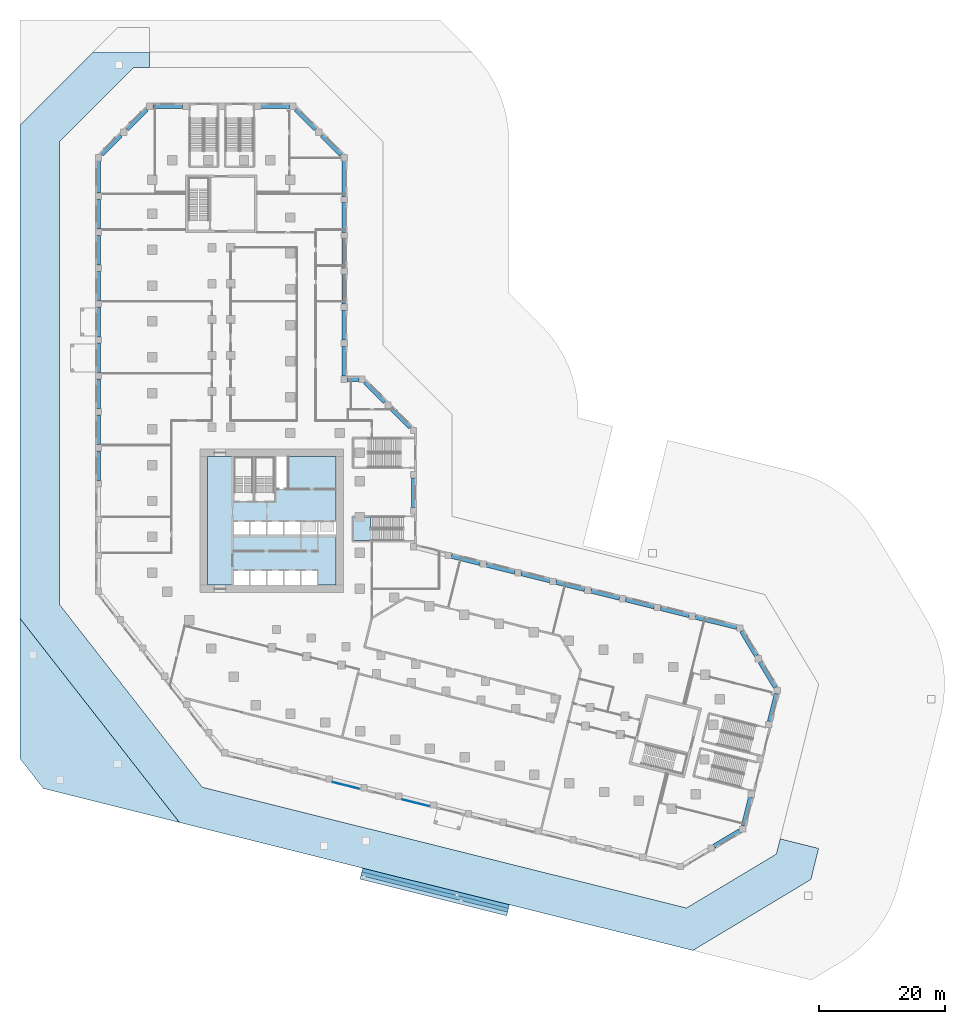
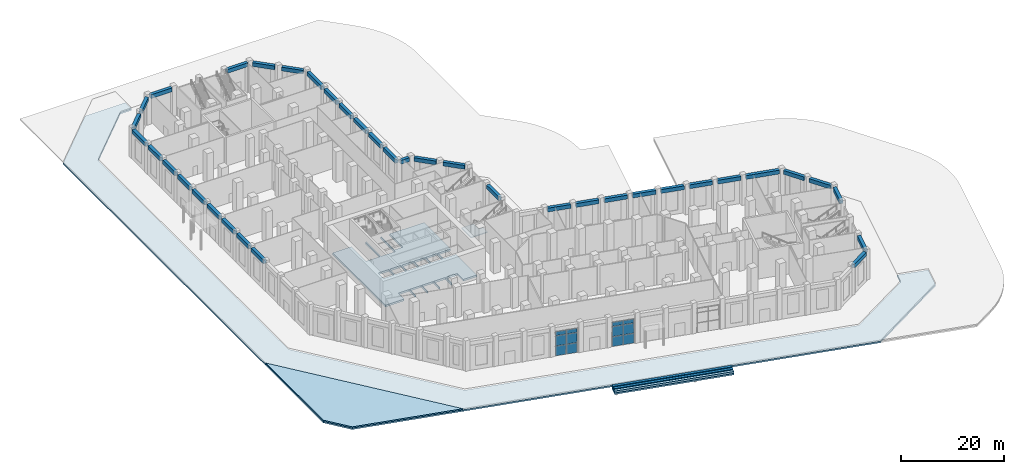
# One storey, part 8 of 27: 38 beams, 12 plates, 9 slabs, 3 elements without a shape of their own.
"""IFC4 building model written with IfcOpenShell, lengths in metres."""

from ifc_helpers import new_model, si_unit, direction, frame, origin, origin_2d, place, context, subcontext, project, spatial, polyline, rectangle, outline, extrude, material, layer, layer_set, material_profile, profile_set, type_object, element, aggregate, save


model = new_model("IFC4")

# Units and contexts
model_context = context("Model", 3, precision=1e-05, world=origin(), true_north=direction((0.0, 1.0)))
body_context = subcontext(model_context, "Body", "Model", "MODEL_VIEW")
ifc_project = project(units=[si_unit("LENGTHUNIT", "METRE"), si_unit("AREAUNIT", "SQUARE_METRE"), si_unit("VOLUMEUNIT", "CUBIC_METRE"), si_unit("PLANEANGLEUNIT", "RADIAN"), si_unit("MASSUNIT", "GRAM", prefix="KILO")], contexts=[model_context])

# Site, building, storey
site_placement = place(None, origin())
site = spatial("IfcSite", under=ifc_project, at=site_placement, CompositionType="ELEMENT")
building_placement = place(site_placement, origin())
building = spatial("IfcBuilding", under=site, at=building_placement, Name="Meshkara Civic Tower", CompositionType="ELEMENT")
storey_placement = place(building_placement, origin())
storey = spatial("IfcBuildingStorey", under=building, at=storey_placement, Name="L00", CompositionType="ELEMENT", Elevation=0.0)

# Beams
ifc_material_1 = material(Name="Concrete C60", Category="concrete")
ifc_material_profile = material_profile(ifc_material_1, rectangle(XDim=0.699951171875, YDim=0.89990234375, at=origin_2d()))
ifc_profile_set = profile_set([ifc_material_profile], Name="Concrete C60")
beam_type = type_object("IfcBeamType", Name="Spandrel beam RC 700x900 C60", PredefinedType="BEAM", material=ifc_profile_set)
beam_1_placement = place(storey_placement, frame((30.403564453125, 83.652587890625, 6.300048828125), z_axis=(-0.707135193312, 0.707078367919, 0.0), x_axis=(-0.707078367919, -0.707135193312, 0.0)))
element("IfcBeam", 1, at=beam_1_placement, inside=storey, type_object=beam_type, Name="Spandrel beam PD12-E-PD13-01", PredefinedType="BEAM", context=body_context, shape_type="SweptSolid", body=[
    extrude(rectangle(XDim=0.699951171875, YDim=0.89990234375, at=origin_2d()), origin(), (0.0, 0.0, 1.0), 4.29638671875),
])
beam_2_placement = place(storey_placement, frame((26.37255859375, 87.68359375, 6.300048828125), z_axis=(-0.707134269933, 0.707079291371, 0.0), x_axis=(-0.707079291371, -0.707134269933, 0.0)))
element("IfcBeam", 2, at=beam_2_placement, inside=storey, type_object=beam_type, Name="Spandrel beam PD00-E-PD13-01", PredefinedType="BEAM", context=body_context, shape_type="SweptSolid", body=[
    extrude(rectangle(XDim=0.699951171875, YDim=0.89990234375, at=origin_2d()), origin(), (0.0, 0.0, 1.0), 4.440673828125),
])
beam_3_placement = place(storey_placement, frame((22.240966796875, 91.320068359375, 6.300048828125), z_axis=(-1.0, 0.0, 0.0), x_axis=(0.0, -1.0, 0.0)))
element("IfcBeam", 3, at=beam_3_placement, inside=storey, type_object=beam_type, Name="Spandrel beam PD00-03-PD00-E", PredefinedType="BEAM", context=body_context, shape_type="SweptSolid", body=[
    extrude(rectangle(XDim=0.699951171875, YDim=0.89990234375, at=origin_2d()), origin(), (0.0, 0.0, 1.0), 4.58203125),
])
beam_4_placement = place(storey_placement, frame((5.26904296875, 91.320068359375, 6.300048828125), z_axis=(-1.0, 0.0, 0.0), x_axis=(0.0, -1.0, 0.0)))
element("IfcBeam", 4, at=beam_4_placement, inside=storey, type_object=beam_type, Name="Spandrel beam PD00-00-PD00-01", PredefinedType="BEAM", context=body_context, shape_type="SweptSolid", body=[
    extrude(rectangle(XDim=0.699951171875, YDim=0.89990234375, at=origin_2d()), origin(), (0.0, 0.0, 1.0), 4.7099609375),
])
beam_5_placement = place(storey_placement, frame((-0.4326171875, 90.823486328125, 6.300048828125), z_axis=(-0.707106781187, -0.707106781187, 0.0), x_axis=(0.707106781187, -0.707106781187, 0.0)))
element("IfcBeam", 5, at=beam_5_placement, inside=storey, type_object=beam_type, Name="Spandrel beam PD00-00-PD01-01", PredefinedType="BEAM", context=body_context, shape_type="SweptSolid", body=[
    extrude(rectangle(XDim=0.699951171875, YDim=0.89990234375, at=origin_2d()), origin(), (0.0, 0.0, 1.0), 4.4404296875),
])
beam_6_placement = place(storey_placement, frame((-4.5654296875, 86.6904296875, 6.300048828125), z_axis=(-0.707135193312, -0.707078367919, 0.0), x_axis=(0.707078367919, -0.707135193312, 0.0)))
element("IfcBeam", 6, at=beam_6_placement, inside=storey, type_object=beam_type, Name="Spandrel beam PD01-00-PD01-01", PredefinedType="BEAM", context=body_context, shape_type="SweptSolid", body=[
    extrude(rectangle(XDim=0.699951171875, YDim=0.89990234375, at=origin_2d()), origin(), (0.0, 0.0, 1.0), 4.29638671875),
])
beam_7_placement = place(storey_placement, frame((-8.10009765625, 82.660888671875, 6.300048828125), z_axis=(0.0, -1.0, 0.0), x_axis=(1.0, 0.0, 0.0)))
element("IfcBeam", 7, at=beam_7_placement, inside=storey, type_object=beam_type, Name="Spandrel beam PD01-00-PD02-11", PredefinedType="BEAM", context=body_context, shape_type="SweptSolid", body=[
    extrude(rectangle(XDim=0.699951171875, YDim=0.89990234375, at=origin_2d()), origin(), (0.0, 0.0, 1.0), 5.15478515625),
])
beam_8_placement = place(storey_placement, frame((-8.10009765625, 76.51611328125, 6.300048828125), z_axis=(0.0, -1.0, 0.0), x_axis=(1.0, 0.0, 0.0)))
element("IfcBeam", 8, at=beam_8_placement, inside=storey, type_object=beam_type, Name="Spandrel beam PD02-10-PD02-11", PredefinedType="BEAM", context=body_context, shape_type="SweptSolid", body=[
    extrude(rectangle(XDim=0.699951171875, YDim=0.89990234375, at=origin_2d()), origin(), (0.0, 0.0, 1.0), 4.710205078125),
])
for number, where, z_axis, x_axis, name in (
    (9, (-8.10009765625, 70.81591796875, 6.300048828125), (0.0, -1.0, 0.0), (1.0, 0.0, 0.0), "Spandrel beam PD02-09-PD02-10"),
    (10, (-8.10009765625, 65.115966796875, 6.300048828125), (0.0, -1.0, 0.0), (1.0, 0.0, 0.0), "Spandrel beam PD02-08-PD02-09"),
    (11, (-8.10009765625, 59.416015625, 6.300048828125), (0.0, -1.0, 0.0), (1.0, 0.0, 0.0), "Spandrel beam PD02-07-PD02-08"),
    (12, (-8.10009765625, 53.716064453125, 6.300048828125), (0.0, -1.0, 0.0), (1.0, 0.0, 0.0), "Spandrel beam PD02-06-PD02-07"),
):
    element("IfcBeam", number, at=place(storey_placement, frame(where, z_axis=z_axis, x_axis=x_axis)), inside=storey, type_object=beam_type, Name=name, PredefinedType="BEAM", context=body_context, shape_type="SweptSolid", body=[
        extrude(rectangle(XDim=0.699951171875, YDim=0.89990234375, at=origin_2d()), origin(), (0.0, 0.0, 1.0), 4.7099609375),
    ])
beam_9_placement = place(storey_placement, frame((-8.10009765625, 48.01611328125, 6.300048828125), z_axis=(0.0, -1.0, 0.0), x_axis=(1.0, 0.0, 0.0)))
element("IfcBeam", 13, at=beam_9_placement, inside=storey, type_object=beam_type, Name="Spandrel beam PD02-05-PD02-06", PredefinedType="BEAM", context=body_context, shape_type="SweptSolid", body=[
    extrude(rectangle(XDim=0.699951171875, YDim=0.89990234375, at=origin_2d()), origin(), (0.0, 0.0, 1.0), 4.710205078125),
])
for number, where, z_axis, x_axis, name in (
    (14, (-8.10009765625, 42.31591796875, 6.300048828125), (0.0, -1.0, 0.0), (1.0, 0.0, 0.0), "Spandrel beam PD02-04-PD02-05"),
    (15, (-8.10009765625, 36.615966796875, 6.300048828125), (0.0, -1.0, 0.0), (1.0, 0.0, 0.0), "Spandrel beam PD02-03-PD02-04"),
):
    element("IfcBeam", number, at=place(storey_placement, frame(where, z_axis=z_axis, x_axis=x_axis)), inside=storey, type_object=beam_type, Name=name, PredefinedType="BEAM", context=body_context, shape_type="SweptSolid", body=[
        extrude(rectangle(XDim=0.699951171875, YDim=0.89990234375, at=origin_2d()), origin(), (0.0, 0.0, 1.0), 4.7099609375),
    ])
beam_10_placement = place(storey_placement, frame((89.6376953125, -26.12109375, 6.300048828125), z_axis=(0.857157399661, 0.515054552651, 0.0), x_axis=(-0.515054552651, 0.857157399661, 0.0)))
element("IfcBeam", 16, at=beam_10_placement, inside=storey, type_object=beam_type, Name="Spandrel beam PD05-01-PD05-E", PredefinedType="BEAM", context=body_context, shape_type="SweptSolid", body=[
    extrude(rectangle(XDim=0.699951171875, YDim=0.89990234375, at=origin_2d()), origin(), (0.0, 0.0, 1.0), 4.689453125),
])
beam_11_placement = place(storey_placement, frame((94.276611328125, -22.912841796875, 6.300048828125), z_axis=(0.24186042428, 0.970311050729, 0.0), x_axis=(-0.970311050729, 0.24186042428, 0.0)))
element("IfcBeam", 17, at=beam_11_placement, inside=storey, type_object=beam_type, Name="Spandrel beam PD05-E-PD06-01", PredefinedType="BEAM", context=body_context, shape_type="SweptSolid", body=[
    extrude(rectangle(XDim=0.699951171875, YDim=0.89990234375, at=origin_2d()), origin(), (0.0, 0.0, 1.0), 4.6796875),
])
beam_12_placement = place(storey_placement, frame((98.41357421875, -6.32080078125, 6.300048828125), z_axis=(0.241942189564, 0.970290666197, 0.0), x_axis=(-0.970290666197, 0.241942189564, 0.0)))
element("IfcBeam", 18, at=beam_12_placement, inside=storey, type_object=beam_type, Name="Spandrel beam PD06-03-PD06-E", PredefinedType="BEAM", context=body_context, shape_type="SweptSolid", body=[
    extrude(rectangle(XDim=0.699951171875, YDim=0.89990234375, at=origin_2d()), origin(), (0.0, 0.0, 1.0), 4.550048828125),
])
beam_13_placement = place(storey_placement, frame((99.340087890625, -0.915283203125, 6.300048828125), z_axis=(-0.515169292752, 0.857088443398, 0.0), x_axis=(-0.857088443398, -0.515169292752, 0.0)))
element("IfcBeam", 19, at=beam_13_placement, inside=storey, type_object=beam_type, Name="Spandrel beam PD06-E-PD07-01", PredefinedType="BEAM", context=body_context, shape_type="SweptSolid", body=[
    extrude(rectangle(XDim=0.699951171875, YDim=0.89990234375, at=origin_2d()), origin(), (0.0, 0.0, 1.0), 4.689697265625),
])
beam_14_placement = place(storey_placement, frame((96.328125, 4.095703125, 6.300048828125), z_axis=(-0.515175277931, 0.857084845863, 0.0), x_axis=(-0.857084845863, -0.515175277931, 0.0)))
element("IfcBeam", 20, at=beam_14_placement, inside=storey, type_object=beam_type, Name="Spandrel beam PD07-00-PD07-01", PredefinedType="BEAM", context=body_context, shape_type="SweptSolid", body=[
    extrude(rectangle(XDim=0.699951171875, YDim=0.89990234375, at=origin_2d()), origin(), (0.0, 0.0, 1.0), 4.542724609375),
])
beam_15_placement = place(storey_placement, frame((93.19482421875, 8.6083984375, 6.300048828125), z_axis=(-0.97029537184, 0.24192331716, 0.0), x_axis=(-0.24192331716, -0.97029537184, 0.0)))
element("IfcBeam", 21, at=beam_15_placement, inside=storey, type_object=beam_type, Name="Spandrel beam PD07-00-PD08-08", PredefinedType="BEAM", context=body_context, shape_type="SweptSolid", body=[
    extrude(rectangle(XDim=0.699951171875, YDim=0.89990234375, at=origin_2d()), origin(), (0.0, 0.0, 1.0), 6.75537109375),
])
beam_16_placement = place(storey_placement, frame((85.64990234375, 10.489501953125, 6.300048828125), z_axis=(-0.970286590806, 0.241958533023, 0.0), x_axis=(-0.241958533023, -0.970286590806, 0.0)))
element("IfcBeam", 22, at=beam_16_placement, inside=storey, type_object=beam_type, Name="Spandrel beam PD08-07-PD08-08", PredefinedType="BEAM", context=body_context, shape_type="SweptSolid", body=[
    extrude(rectangle(XDim=0.699951171875, YDim=0.89990234375, at=origin_2d()), origin(), (0.0, 0.0, 1.0), 4.6787109375),
])
beam_17_placement = place(storey_placement, frame((80.119873046875, 11.868408203125, 6.300048828125), z_axis=(-0.970298806378, 0.241909541651, 0.0), x_axis=(-0.241909541651, -0.970298806378, 0.0)))
element("IfcBeam", 23, at=beam_17_placement, inside=storey, type_object=beam_type, Name="Spandrel beam PD08-06-PD08-07", PredefinedType="BEAM", context=body_context, shape_type="SweptSolid", body=[
    extrude(rectangle(XDim=0.699951171875, YDim=0.89990234375, at=origin_2d()), origin(), (0.0, 0.0, 1.0), 4.6796875),
])
beam_18_placement = place(storey_placement, frame((74.5888671875, 13.24755859375, 6.300048828125), z_axis=(-0.970249807203, 0.242105992539, 0.0), x_axis=(-0.242105992539, -0.970249807203, 0.0)))
element("IfcBeam", 24, at=beam_18_placement, inside=storey, type_object=beam_type, Name="Spandrel beam PD08-05-PD08-06", PredefinedType="BEAM", context=body_context, shape_type="SweptSolid", body=[
    extrude(rectangle(XDim=0.699951171875, YDim=0.89990234375, at=origin_2d()), origin(), (0.0, 0.0, 1.0), 4.679931640625),
])
beam_19_placement = place(storey_placement, frame((69.057861328125, 14.62744140625, 6.300048828125), z_axis=(-0.970286590806, 0.241958533023, 0.0), x_axis=(-0.241958533023, -0.970286590806, 0.0)))
element("IfcBeam", 25, at=beam_19_placement, inside=storey, type_object=beam_type, Name="Spandrel beam PD08-04-PD08-05", PredefinedType="BEAM", context=body_context, shape_type="SweptSolid", body=[
    extrude(rectangle(XDim=0.699951171875, YDim=0.89990234375, at=origin_2d()), origin(), (0.0, 0.0, 1.0), 4.6787109375),
])
for number, where, z_axis, x_axis, name in (
    (26, (63.52783203125, 16.006591796875, 6.300048828125), (-0.970311050729, 0.24186042428, 0.0), (-0.24186042428, -0.970311050729, 0.0), "Spandrel beam PD08-03-PD08-04"),
    (27, (57.996826171875, 17.385498046875, 6.300048828125), (-0.970298806378, 0.241909541651, 0.0), (-0.241909541651, -0.970298806378, 0.0), "Spandrel beam PD08-02-PD08-03"),
):
    element("IfcBeam", number, at=place(storey_placement, frame(where, z_axis=z_axis, x_axis=x_axis)), inside=storey, type_object=beam_type, Name=name, PredefinedType="BEAM", context=body_context, shape_type="SweptSolid", body=[
        extrude(rectangle(XDim=0.699951171875, YDim=0.89990234375, at=origin_2d()), origin(), (0.0, 0.0, 1.0), 4.6796875),
    ])
beam_20_placement = place(storey_placement, frame((52.4658203125, 18.764404296875, 6.300048828125), z_axis=(-0.970286590806, 0.241958533023, 0.0), x_axis=(-0.241958533023, -0.970286590806, 0.0)))
element("IfcBeam", 28, at=beam_20_placement, inside=storey, type_object=beam_type, Name="Spandrel beam PD08-01-PD08-02", PredefinedType="BEAM", context=body_context, shape_type="SweptSolid", body=[
    extrude(rectangle(XDim=0.699951171875, YDim=0.89990234375, at=origin_2d()), origin(), (0.0, 0.0, 1.0), 4.6787109375),
])
beam_21_placement = place(storey_placement, frame((41.89990234375, 27.593994140625, 6.300048828125), z_axis=(0.0, 1.0, 0.0), x_axis=(-1.0, 0.0, 0.0)))
element("IfcBeam", 29, at=beam_21_placement, inside=storey, type_object=beam_type, Name="Spandrel beam PD09-01-PD09-02", PredefinedType="BEAM", context=body_context, shape_type="SweptSolid", body=[
    extrude(rectangle(XDim=0.699951171875, YDim=0.89990234375, at=origin_2d()), origin(), (0.0, 0.0, 1.0), 4.7099609375),
])
beam_22_placement = place(storey_placement, frame((41.403564453125, 40.33251953125, 6.300048828125), z_axis=(-0.707106781187, 0.707106781187, 0.0), x_axis=(-0.707106781187, -0.707106781187, 0.0)))
element("IfcBeam", 30, at=beam_22_placement, inside=storey, type_object=beam_type, Name="Spandrel beam PD09-E-PD10-01", PredefinedType="BEAM", context=body_context, shape_type="SweptSolid", body=[
    extrude(rectangle(XDim=0.699951171875, YDim=0.89990234375, at=origin_2d()), origin(), (0.0, 0.0, 1.0), 4.29638671875),
])
beam_23_placement = place(storey_placement, frame((37.37255859375, 44.363525390625, 6.300048828125), z_axis=(-0.707134269933, 0.707079291371, 0.0), x_axis=(-0.707079291371, -0.707134269933, 0.0)))
element("IfcBeam", 31, at=beam_23_placement, inside=storey, type_object=beam_type, Name="Spandrel beam PD10-01-PD10-E", PredefinedType="BEAM", context=body_context, shape_type="SweptSolid", body=[
    extrude(rectangle(XDim=0.699951171875, YDim=0.89990234375, at=origin_2d()), origin(), (0.0, 0.0, 1.0), 4.440673828125),
])
beam_24_placement = place(storey_placement, frame((33.240966796875, 48.0, 6.300048828125), z_axis=(-1.0, 0.0, 0.0), x_axis=(0.0, -1.0, 0.0)))
element("IfcBeam", 32, at=beam_24_placement, inside=storey, type_object=beam_type, Name="Spandrel beam PD10-E-PD11-00", PredefinedType="BEAM", context=body_context, shape_type="SweptSolid", body=[
    extrude(rectangle(XDim=0.699951171875, YDim=0.89990234375, at=origin_2d()), origin(), (0.0, 0.0, 1.0), 1.845947265625),
])
for number, where, z_axis, x_axis, name in (
    (33, (30.89990234375, 48.4951171875, 6.300048828125), (0.0, 1.0, 0.0), (-1.0, 0.0, 0.0), "Spandrel beam PD11-00-PD12-01"),
    (34, (30.89990234375, 54.195068359375, 6.300048828125), (0.0, 1.0, 0.0), (-1.0, 0.0, 0.0), "Spandrel beam PD12-01-PD12-02"),
    (35, (30.89990234375, 59.89501953125, 6.300048828125), (0.0, 1.0, 0.0), (-1.0, 0.0, 0.0), "Spandrel beam PD12-02-PD12-03"),
    (36, (30.89990234375, 65.594970703125, 6.300048828125), (0.0, 1.0, 0.0), (-1.0, 0.0, 0.0), "Spandrel beam PD12-03-PD12-04"),
    (37, (30.89990234375, 71.294921875, 6.300048828125), (0.0, 1.0, 0.0), (-1.0, 0.0, 0.0), "Spandrel beam PD12-04-PD12-05"),
):
    element("IfcBeam", number, at=place(storey_placement, frame(where, z_axis=z_axis, x_axis=x_axis)), inside=storey, type_object=beam_type, Name=name, PredefinedType="BEAM", context=body_context, shape_type="SweptSolid", body=[
        extrude(rectangle(XDim=0.699951171875, YDim=0.89990234375, at=origin_2d()), origin(), (0.0, 0.0, 1.0), 4.7099609375),
    ])
beam_25_placement = place(storey_placement, frame((30.89990234375, 76.9951171875, 6.300048828125), z_axis=(0.0, 1.0, 0.0), x_axis=(-1.0, 0.0, 0.0)))
element("IfcBeam", 38, at=beam_25_placement, inside=storey, type_object=beam_type, Name="Spandrel beam PD12-05-PD12-E", PredefinedType="BEAM", context=body_context, shape_type="SweptSolid", body=[
    extrude(rectangle(XDim=0.699951171875, YDim=0.89990234375, at=origin_2d()), origin(), (0.0, 0.0, 1.0), 5.665771484375),
])

# Curtain wall, plates
ifc_material_2 = material(Name="Tinted double glazing", Category="glass")
curtain_wall_type = type_object("IfcCurtainWallType", Name="CW SERVICE HALL FRONT", PredefinedType="NOTDEFINED", material=ifc_material_2)
curtain_wall_1_placement = place(storey_placement, origin())
curtain_wall_1 = element("IfcCurtainWall", 39, at=curtain_wall_1_placement, inside=storey, type_object=curtain_wall_type, Name="Curtain wall CW1", PredefinedType="NOTDEFINED")
ifc_material_3 = material(Name="Tinted double glazing", Category="glass")
ifc_layer_1 = layer(ifc_material_3, 0.028076171875)
ifc_layer_set_1 = layer_set([ifc_layer_1], Name="CW PANEL IGU 28")
plate_type = type_object("IfcPlateType", Name="CW PANEL IGU 28", PredefinedType="CURTAIN_PANEL", material=ifc_layer_set_1)
plate_1_placement = place(storey_placement, frame((30.1201171875, -16.239013671875, 0.06005859375), z_axis=(0.0, 0.0, 1.0), x_axis=(0.970273444594, -0.24201124502, 0.0)))
plate_1 = element("IfcPlate", 40, at=plate_1_placement, type_object=plate_type, Name="CW1 panel 1.1", PredefinedType="CURTAIN_PANEL", context=body_context, shape_type="SweptSolid", body=[
    extrude(rectangle(XDim=2.15380859375, YDim=0.028076171875, at=origin_2d()), origin(), (0.0, 0.0, 1.0), 2.31005859375),
])
plate_2_placement = place(storey_placement, frame((30.1201171875, -16.239013671875, 2.43017578125), z_axis=(0.0, 0.0, 1.0), x_axis=(0.970273444594, -0.24201124502, 0.0)))
plate_2 = element("IfcPlate", 41, at=plate_2_placement, type_object=plate_type, Name="CW1 panel 1.2", PredefinedType="CURTAIN_PANEL", context=body_context, shape_type="SweptSolid", body=[
    extrude(rectangle(XDim=2.15380859375, YDim=0.028076171875, at=origin_2d()), origin(), (0.0, 0.0, 1.0), 2.340087890625),
])
plate_3_placement = place(storey_placement, frame((30.1201171875, -16.239013671875, 4.830078125), z_axis=(0.0, 0.0, 1.0), x_axis=(0.970273444594, -0.24201124502, 0.0)))
plate_3 = element("IfcPlate", 42, at=plate_3_placement, type_object=plate_type, Name="CW1 panel 1.3", PredefinedType="CURTAIN_PANEL", context=body_context, shape_type="SweptSolid", body=[
    extrude(rectangle(XDim=2.15380859375, YDim=0.028076171875, at=origin_2d()), origin(), (0.0, 0.0, 1.0), 0.9599609375),
])
plate_4_placement = place(storey_placement, frame((32.26806640625, -16.77490234375, 0.06005859375), z_axis=(0.0, 0.0, 1.0), x_axis=(0.970273444594, -0.24201124502, 0.0)))
plate_4 = element("IfcPlate", 43, at=plate_4_placement, type_object=plate_type, Name="CW1 panel 2.1", PredefinedType="CURTAIN_PANEL", context=body_context, shape_type="SweptSolid", body=[
    extrude(rectangle(XDim=2.15380859375, YDim=0.028076171875, at=origin_2d()), origin(), (0.0, 0.0, 1.0), 2.31005859375),
])
plate_5_placement = place(storey_placement, frame((32.26806640625, -16.77490234375, 2.43017578125), z_axis=(0.0, 0.0, 1.0), x_axis=(0.970273444594, -0.24201124502, 0.0)))
plate_5 = element("IfcPlate", 44, at=plate_5_placement, type_object=plate_type, Name="CW1 panel 2.2", PredefinedType="CURTAIN_PANEL", context=body_context, shape_type="SweptSolid", body=[
    extrude(rectangle(XDim=2.15380859375, YDim=0.028076171875, at=origin_2d()), origin(), (0.0, 0.0, 1.0), 2.340087890625),
])
plate_6_placement = place(storey_placement, frame((32.26806640625, -16.77490234375, 4.830078125), z_axis=(0.0, 0.0, 1.0), x_axis=(0.970273444594, -0.24201124502, 0.0)))
plate_6 = element("IfcPlate", 45, at=plate_6_placement, type_object=plate_type, Name="CW1 panel 2.3", PredefinedType="CURTAIN_PANEL", context=body_context, shape_type="SweptSolid", body=[
    extrude(rectangle(XDim=2.15380859375, YDim=0.028076171875, at=origin_2d()), origin(), (0.0, 0.0, 1.0), 0.9599609375),
])
aggregate(curtain_wall_1, [plate_1, plate_2, plate_3, plate_4, plate_5, plate_6])

curtain_wall_2_placement = place(storey_placement, origin())
curtain_wall_2 = element("IfcCurtainWall", 46, at=curtain_wall_2_placement, inside=storey, type_object=curtain_wall_type, Name="Curtain wall CW1", PredefinedType="NOTDEFINED")
plate_7_placement = place(storey_placement, frame((41.18115234375, -18.9970703125, 0.06005859375), z_axis=(0.0, 0.0, 1.0), x_axis=(0.970273444594, -0.24201124502, 0.0)))
plate_7 = element("IfcPlate", 47, at=plate_7_placement, type_object=plate_type, Name="CW1 panel 1.1", PredefinedType="CURTAIN_PANEL", context=body_context, shape_type="SweptSolid", body=[
    extrude(rectangle(XDim=2.15380859375, YDim=0.028076171875, at=origin_2d()), origin(), (0.0, 0.0, 1.0), 2.31005859375),
])
plate_8_placement = place(storey_placement, frame((41.18115234375, -18.9970703125, 2.43017578125), z_axis=(0.0, 0.0, 1.0), x_axis=(0.970273444594, -0.24201124502, 0.0)))
plate_8 = element("IfcPlate", 48, at=plate_8_placement, type_object=plate_type, Name="CW1 panel 1.2", PredefinedType="CURTAIN_PANEL", context=body_context, shape_type="SweptSolid", body=[
    extrude(rectangle(XDim=2.15380859375, YDim=0.028076171875, at=origin_2d()), origin(), (0.0, 0.0, 1.0), 2.340087890625),
])
plate_9_placement = place(storey_placement, frame((41.18115234375, -18.9970703125, 4.830078125), z_axis=(0.0, 0.0, 1.0), x_axis=(0.970273444594, -0.24201124502, 0.0)))
plate_9 = element("IfcPlate", 49, at=plate_9_placement, type_object=plate_type, Name="CW1 panel 1.3", PredefinedType="CURTAIN_PANEL", context=body_context, shape_type="SweptSolid", body=[
    extrude(rectangle(XDim=2.15380859375, YDim=0.028076171875, at=origin_2d()), origin(), (0.0, 0.0, 1.0), 0.9599609375),
])
plate_10_placement = place(storey_placement, frame((43.328857421875, -19.532958984375, 0.06005859375), z_axis=(0.0, 0.0, 1.0), x_axis=(0.970273444594, -0.24201124502, 0.0)))
plate_10 = element("IfcPlate", 50, at=plate_10_placement, type_object=plate_type, Name="CW1 panel 2.1", PredefinedType="CURTAIN_PANEL", context=body_context, shape_type="SweptSolid", body=[
    extrude(rectangle(XDim=2.15380859375, YDim=0.028076171875, at=origin_2d()), origin(), (0.0, 0.0, 1.0), 2.31005859375),
])
plate_11_placement = place(storey_placement, frame((43.328857421875, -19.532958984375, 2.43017578125), z_axis=(0.0, 0.0, 1.0), x_axis=(0.970273444594, -0.24201124502, 0.0)))
plate_11 = element("IfcPlate", 51, at=plate_11_placement, type_object=plate_type, Name="CW1 panel 2.2", PredefinedType="CURTAIN_PANEL", context=body_context, shape_type="SweptSolid", body=[
    extrude(rectangle(XDim=2.15380859375, YDim=0.028076171875, at=origin_2d()), origin(), (0.0, 0.0, 1.0), 2.340087890625),
])
plate_12_placement = place(storey_placement, frame((43.328857421875, -19.532958984375, 4.830078125), z_axis=(0.0, 0.0, 1.0), x_axis=(0.970273444594, -0.24201124502, 0.0)))
plate_12 = element("IfcPlate", 52, at=plate_12_placement, type_object=plate_type, Name="CW1 panel 2.3", PredefinedType="CURTAIN_PANEL", context=body_context, shape_type="SweptSolid", body=[
    extrude(rectangle(XDim=2.15380859375, YDim=0.028076171875, at=origin_2d()), origin(), (0.0, 0.0, 1.0), 0.9599609375),
])
aggregate(curtain_wall_2, [plate_7, plate_8, plate_9, plate_10, plate_11, plate_12])

# Slabs
ifc_material_4 = material(Name="Concrete C40/50", Category="concrete")
ifc_layer_2 = layer(ifc_material_4, 0.449951171875)
ifc_layer_set_2 = layer_set([ifc_layer_2], Name="Core floor slab 450 C40/50")
slab_type_1 = type_object("IfcSlabType", Name="Core floor slab 450 C40/50", PredefinedType="FLOOR", material=ifc_layer_set_2)
slab_1_placement = place(storey_placement, frame((0.0, 0.0, -0.449951171875)))
element("IfcSlab", 53, at=slab_1_placement, inside=storey, type_object=slab_type_1, Name="Core floor K", PredefinedType="FLOOR", context=body_context, shape_type="SweptSolid", body=[
    extrude(outline(polyline([(9.199951171875, 35.699951171875), (13.39990234375, 35.699951171875), (13.39990234375, 30.00146484375), (16.5, 30.00146484375), (16.5, 35.699951171875), (16.699951171875, 35.699951171875), (16.699951171875, 30.00146484375), (19.89990234375, 30.00146484375), (19.89990234375, 35.699951171875), (20.10009765625, 35.699951171875), (20.10009765625, 30.574951171875), (21.925048828125, 30.574951171875), (21.925048828125, 35.699951171875), (29.60009765625, 35.699951171875), (29.60009765625, 25.39990234375), (26.800048828125, 25.39990234375), (26.800048828125, 23.300048828125), (29.60009765625, 23.300048828125), (29.60009765625, 15.300048828125), (26.60009765625, 15.300048828125), (26.60009765625, 17.60009765625), (24.10009765625, 17.60009765625), (24.10009765625, 15.300048828125), (23.89990234375, 15.300048828125), (23.89990234375, 17.60009765625), (21.39990234375, 17.60009765625), (21.39990234375, 15.300048828125), (21.199951171875, 15.300048828125), (21.199951171875, 17.60009765625), (18.699951171875, 17.60009765625), (18.699951171875, 15.300048828125), (18.5, 15.300048828125), (18.5, 17.60009765625), (16.0, 17.60009765625), (16.0, 15.300048828125), (15.800048828125, 15.300048828125), (15.800048828125, 17.60009765625), (13.39990234375, 17.60009765625), (13.39990234375, 15.300048828125), (9.199951171875, 15.300048828125), (9.199951171875, 35.699951171875)]), holes=[polyline([(13.39990234375, 25.39990234375), (13.39990234375, 23.300048828125), (15.800048828125, 23.300048828125), (15.800048828125, 25.39990234375), (13.39990234375, 25.39990234375)]), polyline([(18.5, 23.300048828125), (18.5, 25.39990234375), (16.0, 25.39990234375), (16.0, 23.300048828125), (18.5, 23.300048828125)]), polyline([(18.699951171875, 25.39990234375), (18.699951171875, 23.300048828125), (21.199951171875, 23.300048828125), (21.199951171875, 25.39990234375), (18.699951171875, 25.39990234375)]), polyline([(23.89990234375, 25.39990234375), (21.39990234375, 25.39990234375), (21.39990234375, 23.300048828125), (23.89990234375, 23.300048828125), (23.89990234375, 25.39990234375)]), polyline([(24.10009765625, 23.300048828125), (26.60009765625, 23.300048828125), (26.60009765625, 25.39990234375), (24.10009765625, 25.39990234375), (24.10009765625, 23.300048828125)])]), origin(), (0.0, 0.0, 1.0), 0.449951171875),
])
ifc_material_5 = material(Name="Granite paving on compacted base", Category="masonry")
ifc_layer_3 = layer(ifc_material_5, 0.300048828125)
ifc_layer_set_3 = layer_set([ifc_layer_3], Name="GROUND PAVING 300")
slab_type_2 = type_object("IfcSlabType", Name="GROUND PAVING 300", PredefinedType="USERDEFINED", material=ifc_layer_set_3)
slab_2_placement = place(storey_placement, frame((0.0, 0.0, -0.300048828125)))
element("IfcSlab", 54, at=slab_2_placement, inside=storey, type_object=slab_type_2, Name="Plaza paving", ObjectType="PAVING", PredefinedType="USERDEFINED", context=body_context, shape_type="SweptSolid", body=[
    extrude(outline(polyline([(-20.550048828125, -12.22900390625), (-20.550048828125, 10.02392578125), (4.7548828125, -22.364990234375), (-16.8369140625, -16.98095703125), (-20.550048828125, -12.22900390625)])), origin(), (0.0, 0.0, 1.0), 0.300048828125),
])
ifc_material_6 = material(Name="Concrete C40", Category="concrete")
ifc_layer_4 = layer(ifc_material_6, 0.35009765625)
ifc_layer_set_4 = layer_set([ifc_layer_4], Name="GROUND SUB-BASE SLAB 350")
slab_type_3 = type_object("IfcSlabType", Name="GROUND SUB-BASE SLAB 350", PredefinedType="BASESLAB", material=ifc_layer_set_4)
slab_3_placement = place(storey_placement, frame((0.0, 0.0, -0.64990234375)))
element("IfcSlab", 55, at=slab_3_placement, inside=storey, type_object=slab_type_3, Name="Promenade paving sub-base", PredefinedType="BASESLAB", context=body_context, shape_type="SweptSolid", body=[
    extrude(outline(polyline([(4.7548828125, -22.364990234375), (-20.550048828125, 10.02392578125), (-20.550048828125, 88.31298828125), (-8.962890625, 99.89990234375), (0.0, 99.89990234375), (0.0, 97.469970703125), (-2.48291015625, 97.469970703125), (-14.25, 85.702880859375), (-14.25, 12.193115234375), (8.384033203125, -16.777099609375), (85.239990234375, -35.93896484375), (99.50390625, -27.367919921875), (100.10498046875, -24.958984375), (106.218017578125, -26.48291015625), (104.986083984375, -31.424072265625), (86.248046875, -42.68310546875), (60.864013671875, -36.35400390625), (4.7548828125, -22.364990234375)])), origin(), (0.0, 0.0, 1.0), 0.349853515625),
])
slab_4_placement = place(storey_placement, frame((0.0, 0.0, -0.64990234375)))
element("IfcSlab", 56, at=slab_4_placement, inside=storey, type_object=slab_type_3, Name="Plaza paving sub-base", PredefinedType="BASESLAB", context=body_context, shape_type="SweptSolid", body=[
    extrude(outline(polyline([(-20.550048828125, 10.02392578125), (4.7548828125, -22.364990234375), (-16.8369140625, -16.98095703125), (-20.550048828125, -12.22900390625), (-20.550048828125, 10.02392578125)])), origin(), (0.0, 0.0, 1.0), 0.349853515625),
])
slab_5_placement = place(storey_placement, frame((0.0, 0.0, -1.25)))
element("IfcSlab", 57, at=slab_5_placement, inside=storey, type_object=slab_type_3, Name="Waterside steps sub-base", PredefinedType="BASESLAB", context=body_context, shape_type="SweptSolid", body=[
    extrude(outline(polyline([(33.4169921875, -31.3662109375), (33.562255859375, -30.783935546875), (33.8525390625, -29.61962890625), (33.8525390625, -29.61962890625), (33.8525390625, -29.619384765625), (33.8525390625, -29.619384765625), (33.8525390625, -29.619384765625), (57.1396484375, -35.425537109375), (57.1396484375, -35.425537109375), (57.1396484375, -35.42578125), (56.994384765625, -36.0078125), (56.890869140625, -36.42333984375), (56.7041015625, -37.172119140625), (56.7041015625, -37.172119140625), (56.7041015625, -37.172119140625), (33.4169921875, -31.3662109375), (33.4169921875, -31.3662109375), (33.4169921875, -31.3662109375)])), origin(), (0.0, 0.0, 1.0), 0.35009765625),
])

# Stair, slab
ifc_material_7 = material(Name="Precast concrete C40/50", Category="concrete")
stair_type = type_object("IfcStairType", Name="Podium exit stair half-turn 38 risers 1800 wide precast", PredefinedType="HALF_TURN_STAIR", material=ifc_material_7)
stair_placement = place(storey_placement, origin())
stair = element("IfcStair", 58, at=stair_placement, inside=storey, type_object=stair_type, Name="L00 podium exit stair PS5", PredefinedType="HALF_TURN_STAIR")
ifc_material_8 = material(Name="Precast concrete C40/50", Category="concrete")
ifc_layer_5 = layer(ifc_material_8, 0.199951171875)
ifc_layer_set_5 = layer_set([ifc_layer_5], Name="Podium stair landing 200")
slab_type_4 = type_object("IfcSlabType", Name="Podium stair landing 200", PredefinedType="LANDING", material=ifc_layer_set_5)
slab_6_placement = place(storey_placement, frame((0.0, 0.0, 3.39990234375)))
slab_6 = element("IfcSlab", 59, at=slab_6_placement, type_object=slab_type_4, Name="PS5 landing 1", PredefinedType="LANDING", context=body_context, shape_type="SweptSolid", body=[
    extrude(outline(polyline([(36.080078125, 24.175048828125), (36.080078125, 22.375), (32.389892578125, 22.375), (32.389892578125, 26.125), (35.090087890625, 26.125), (35.090087890625, 24.175048828125), (36.080078125, 24.175048828125)])), origin(), (0.0, 0.0, 1.0), 0.2001953125),
])
aggregate(stair, [slab_6])

# Slabs
ifc_material_9 = material(Name="Granite paving on compacted base", Category="masonry")
ifc_layer_6 = layer(ifc_material_9, 0.449951171875)
ifc_layer_set_6 = layer_set([ifc_layer_6], Name="WATERSIDE STEP 450")
slab_type_5 = type_object("IfcSlabType", Name="WATERSIDE STEP 450", PredefinedType="USERDEFINED", material=ifc_layer_set_6)
slab_7_placement = place(storey_placement, frame((0.0, 0.0, -0.89990234375)))
element("IfcSlab", 60, at=slab_7_placement, inside=storey, type_object=slab_type_5, Name="Waterside step 3", ObjectType="PAVING", PredefinedType="USERDEFINED", context=body_context, shape_type="SweptSolid", body=[
    extrude(outline(polyline([(56.849365234375, -36.590087890625), (57.1396484375, -35.425537109375), (56.7041015625, -37.172119140625), (33.4169921875, -31.3662109375), (33.562255859375, -30.783935546875), (56.849365234375, -36.590087890625)])), origin(), (0.0, 0.0, 1.0), 0.449951171875),
])
ifc_material_10 = material(Name="Granite paving on compacted base", Category="masonry")
ifc_layer_7 = layer(ifc_material_10, 0.60009765625)
ifc_layer_set_7 = layer_set([ifc_layer_7], Name="WATERSIDE STEP 600")
slab_type_6 = type_object("IfcSlabType", Name="WATERSIDE STEP 600", PredefinedType="USERDEFINED", material=ifc_layer_set_7)
slab_8_placement = place(storey_placement, frame((0.0, 0.0, -0.89990234375)))
element("IfcSlab", 61, at=slab_8_placement, inside=storey, type_object=slab_type_6, Name="Waterside step 2", ObjectType="PAVING", PredefinedType="USERDEFINED", context=body_context, shape_type="SweptSolid", body=[
    extrude(outline(polyline([(33.707275390625, -30.201904296875), (56.994384765625, -36.0078125), (56.849365234375, -36.590087890625), (33.562255859375, -30.783935546875), (33.8525390625, -29.61962890625), (33.707275390625, -30.201904296875)])), origin(), (0.0, 0.0, 1.0), 0.599853515625),
])
ifc_material_11 = material(Name="Granite paving on compacted base", Category="masonry")
ifc_layer_8 = layer(ifc_material_11, 0.75)
ifc_layer_set_8 = layer_set([ifc_layer_8], Name="WATERSIDE STEP 750")
slab_type_7 = type_object("IfcSlabType", Name="WATERSIDE STEP 750", PredefinedType="USERDEFINED", material=ifc_layer_set_8)
slab_9_placement = place(storey_placement, frame((0.0, 0.0, -0.89990234375)))
element("IfcSlab", 62, at=slab_9_placement, inside=storey, type_object=slab_type_7, Name="Waterside step 1", ObjectType="PAVING", PredefinedType="USERDEFINED", context=body_context, shape_type="SweptSolid", body=[
    extrude(outline(polyline([(56.994384765625, -36.0078125), (33.707275390625, -30.201904296875), (33.8525390625, -29.619384765625), (57.1396484375, -35.425537109375), (56.994384765625, -36.0078125)])), origin(), (0.0, 0.0, 1.0), 0.75),
])

save(model, "model.ifc")
